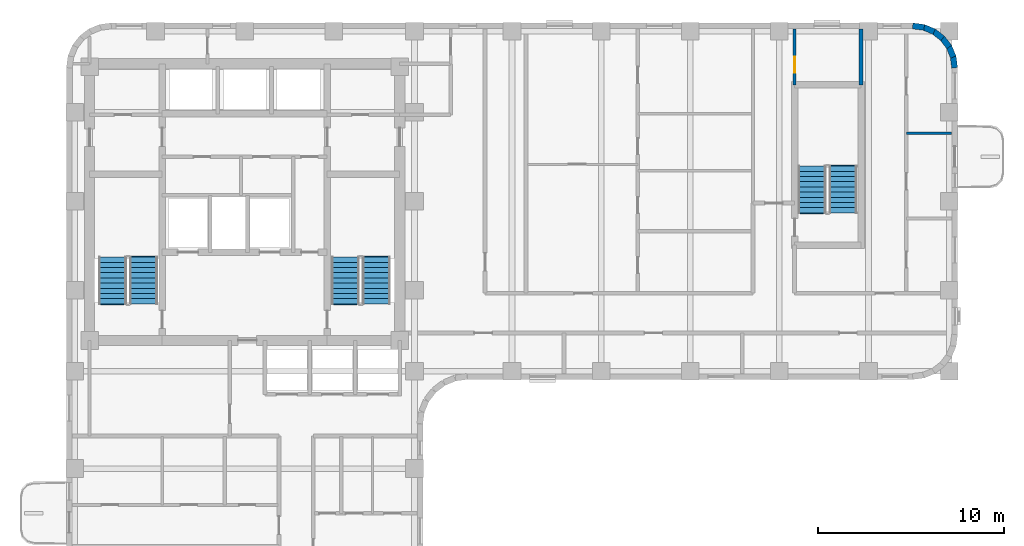
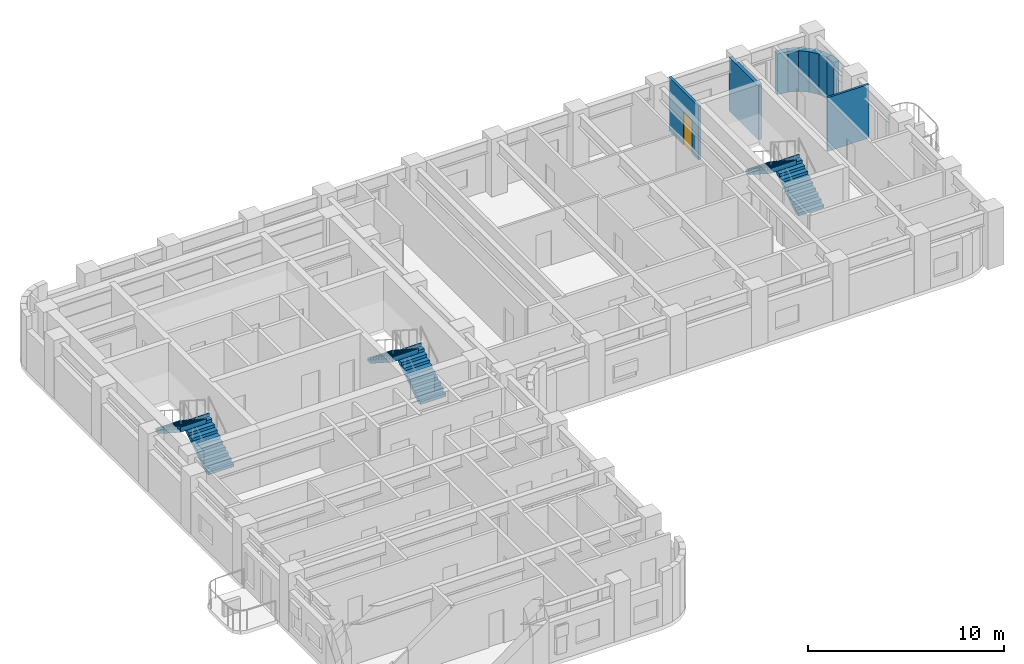
# One storey, part 7 of 10: 9 walls, 6 stair flights, 1 door, 1 opening, 3 elements without a shape of their own.
"""IFC4 building model written with IfcOpenShell, lengths in metres."""

from ifc_helpers import new_model, si_unit, direction, frame, frame_2d, origin, place, context, subcontext, project, spatial, polyline, rectangle, outline, extrude, material, layer, layer_set, type_object, element, fill, aggregate, save


model = new_model("IFC4")

# Units and contexts
model_context = context("Model", 3, precision=1e-05, world=origin(), true_north=direction((0.0, 1.0)))
body_context = subcontext(model_context, "Body", "Model", "MODEL_VIEW")
ifc_project = project(units=[si_unit("LENGTHUNIT", "METRE"), si_unit("AREAUNIT", "SQUARE_METRE"), si_unit("VOLUMEUNIT", "CUBIC_METRE"), si_unit("PLANEANGLEUNIT", "RADIAN"), si_unit("MASSUNIT", "GRAM", prefix="KILO")], contexts=[model_context])

# Site, building, storey
site_placement = place(None, origin())
site = spatial("IfcSite", under=ifc_project, at=site_placement, CompositionType="ELEMENT")
building_placement = place(site_placement, origin())
building = spatial("IfcBuilding", under=site, at=building_placement, Name="Orvandelia Arch Residences", CompositionType="ELEMENT")
storey_placement = place(building_placement, frame((0.0, 0.0, 132.39990234375)))
storey = spatial("IfcBuildingStorey", under=building, at=storey_placement, Name="L34", CompositionType="ELEMENT", Elevation=132.39990234375)

# Walls
ifc_material_1 = material(Name="Concrete C40/50", Category="concrete")
ifc_layer_1 = layer(ifc_material_1, 0.199951171875, Name="Concrete C40/50", Category="concrete")
ifc_layer_set_1 = layer_set([ifc_layer_1], Name="Concrete C40/50")
wall_type_1 = type_object("IfcWallType", Name="WL-DEM-200", PredefinedType="SOLIDWALL", material=ifc_layer_set_1)
wall_1_placement = place(storey_placement, frame((47.60009765625, 44.659912109375, 0.0), z_axis=(0.0, 0.0, 1.0), x_axis=(0.0, 1.0, 0.0)))
element("IfcWall", 1, at=wall_1_placement, inside=storey, type_object=wall_type_1, Name="Interior Partition Wall WL-L34-ES-NST3E", PredefinedType="SOLIDWALL", context=body_context, shape_type="SweptSolid", body=[
    extrude(rectangle(XDim=3.02001953125, YDim=0.199951171875, at=frame_2d((1.510009765625, 0.0))), origin(), (0.0, 0.0, 1.0), 3.360107421875),
])
ifc_material_2 = material(Name="Precast concrete C40/50", Category="concrete")
ifc_layer_2 = layer(ifc_material_2, 0.320068359375, Name="Precast concrete C40/50", Category="concrete")
ifc_layer_set_2 = layer_set([ifc_layer_2], Name="Precast concrete C40/50")
wall_type_2 = type_object("IfcWallType", Name="WL-EXT-STONE-320", PredefinedType="STANDARD", material=ifc_layer_set_2)
for number, where, z_axis, x_axis, name in (
    (2, (50.379150390625, 47.84130859375, 0.0), (0.0, 0.0, 1.0), (0.9914410257, -0.130555323746, 0.0), "Coral-Limestone Precast Facade Wall L34-008"),
    (3, (50.9599609375, 47.7705078125, 0.0), (0.0, 0.0, 1.0), (0.92389335771, -0.382650053678, 0.0), "Coral-Limestone Precast Facade Wall L34-009"),
    (4, (51.502685546875, 47.551513671875, 0.0), (0.0, 0.0, 1.0), (0.793405610854, -0.608693302629, 0.0), "Coral-Limestone Precast Facade Wall L34-010"),
    (5, (51.97021484375, 47.19970703125, 0.0), (0.0, 0.0, 1.0), (0.608693302629, -0.793405610854, 0.0), "Coral-Limestone Precast Facade Wall L34-011"),
    (6, (52.330810546875, 46.73876953125, 0.0), (0.0, 0.0, 1.0), (0.382317370307, -0.924031075431, 0.0), "Coral-Limestone Precast Facade Wall L34-012"),
    (7, (52.5595703125, 46.2001953125, 0.0), (0.0, 0.0, 1.0), (0.130555323746, -0.9914410257, 0.0), "Coral-Limestone Precast Facade Wall L34-013"),
):
    element("IfcWall", number, at=place(storey_placement, frame(where, z_axis=z_axis, x_axis=x_axis)), inside=storey, type_object=wall_type_2, Name=name, PredefinedType="STANDARD", context=body_context, shape_type="SweptSolid", body=[
        extrude(rectangle(XDim=0.62646484375, YDim=0.320068359375, at=frame_2d((0.313232421875, 0.0))), origin(), (0.0, 0.0, 1.0), 2.5400390625),
    ])
ifc_material_3 = material(Name="Lightweight Gypsum Stud Partition")
ifc_layer_3 = layer(ifc_material_3, 0.1201171875, Name="Lightweight Gypsum Stud Partition")
ifc_layer_set_3 = layer_set([ifc_layer_3], Name="Lightweight Gypsum Stud Partition")
wall_type_3 = type_object("IfcWallType", Name="WL-PART-120", PredefinedType="PARTITIONING", material=ifc_layer_set_3)
wall_2_placement = place(storey_placement, frame((50.04296875, 42.06396484375, 0.0), z_axis=(0.0, 0.0, 1.0), x_axis=(1.0, 0.0, 0.0)))
element("IfcWall", 8, at=wall_2_placement, inside=storey, type_object=wall_type_3, Name="Interior Partition Wall WL-L34-U07-H2", PredefinedType="PARTITIONING", context=body_context, shape_type="SweptSolid", body=[
    extrude(rectangle(XDim=2.43701171875, YDim=0.1201171875, at=frame_2d((1.218505859375, 0.0))), origin(), (0.0, 0.0, 1.0), 3.360107421875),
])

# Wall, opening, door
ifc_material_4 = material(Name="Acoustic Gypsum Stud Partition")
ifc_layer_4 = layer(ifc_material_4, 0.14990234375, Name="Acoustic Gypsum Stud Partition")
ifc_layer_set_4 = layer_set([ifc_layer_4], Name="Acoustic Gypsum Stud Partition")
wall_type_4 = type_object("IfcWallType", Name="WL-PART-150", PredefinedType="PARTITIONING", material=ifc_layer_set_4)
wall_3_placement = place(storey_placement, frame((44.02001953125, 44.659912109375, 0.0), z_axis=(0.0, 0.0, 1.0), x_axis=(0.0, 1.0, 0.0)))
wall_3 = element("IfcWall", 9, at=wall_3_placement, inside=storey, type_object=wall_type_4, Name="Interior Partition Wall WL-L34-ES-NST3W", PredefinedType="PARTITIONING", context=body_context, shape_type="SweptSolid", body=[
    extrude(rectangle(XDim=3.02001953125, YDim=0.14990234375, at=frame_2d((1.510009765625, 0.0))), origin(), (0.0, 0.0, 1.0), 3.360107421875),
])
opening_placement = place(wall_3_placement, frame((0.64990234375, 0.0, 0.0)))
opening = element("IfcOpeningElement", 10, at=opening_placement, cuts=wall_3, Name="Opening D5", PredefinedType="OPENING", context=body_context, shape_type="SweptSolid", body=[
    extrude(rectangle(XDim=0.8798828125, YDim=2.10009765625, at=frame_2d((0.43994140625, 1.050048828125))), frame((0.0, 0.0849609375, 0.0), z_axis=(0.0, -1.0, 0.0), x_axis=(1.0, 0.0, 0.0)), (0.0, 0.0, 1.0), 0.169921875),
])
ifc_material_5 = material(Name="Painted Galvanised Steel Service Door", Category="steel")
door_type = type_object("IfcDoorType", Name="DR-SRV-880", OperationType="NOTDEFINED", PredefinedType="DOOR", material=ifc_material_5)
door_placement = place(opening_placement, origin())
door = element("IfcDoor", 11, at=door_placement, inside=storey, type_object=door_type, Name="DR-L34-ESNST3", OperationType="SINGLE_SWING_RIGHT", OverallHeight=2.10009765625, OverallWidth=0.8798828125, PredefinedType="DOOR", context=body_context, shape_type="SweptSolid", body=[
    extrude(rectangle(XDim=0.8798828125, YDim=2.10009765625, at=frame_2d((0.43994140625, 1.050048828125))), frame((0.0, 0.02490234375, 0.0), z_axis=(0.0, -1.0, 0.0), x_axis=(1.0, 0.0, 0.0)), (0.0, 0.0, 1.0), 0.050048828125),
])
fill(opening, door)

# Stair, stair flights
stair_type = type_object("IfcStairType", Name="STAIR-RC-DOGLEG", PredefinedType="HALF_TURN_STAIR", material=ifc_material_1)
stair_1_placement = place(storey_placement, origin())
stair_1 = element("IfcStair", 12, at=stair_1_placement, inside=storey, type_object=stair_type, Name="L34 Protected Exit Stair ST-1", PredefinedType="HALF_TURN_STAIR")
stair_flight_type = type_object("IfcStairFlightType", Name="STFLT-RC-1520", PredefinedType="STRAIGHT", material=ifc_material_1)
stair_flight_1_placement = place(storey_placement, frame((8.9599609375, 32.8701171875, 0.0), z_axis=(0.0, 0.0, 1.0), x_axis=(0.0, 1.0, 0.0)))
stair_flight_1 = element("IfcStairFlight", 13, at=stair_flight_1_placement, type_object=stair_flight_type, Name="ST-1 flight 1", NumberOfRisers=10, NumberOfTreads=9, PredefinedType="STRAIGHT", RiserHeight=0.18, TreadLength=0.28, context=body_context, shape_type="SweptSolid", body=[
    extrude(outline(polyline([(0.0, 0.0), (0.0, 0.179931640625), (0.280029296875, 0.179931640625), (0.280029296875, 0.360107421875), (0.56005859375, 0.360107421875), (0.56005859375, 0.5400390625), (0.840087890625, 0.5400390625), (0.840087890625, 0.719970703125), (1.1201171875, 0.719970703125), (1.1201171875, 0.89990234375), (1.39990234375, 0.89990234375), (1.39990234375, 1.080078125), (1.679931640625, 1.080078125), (1.679931640625, 1.260009765625), (1.9599609375, 1.260009765625), (1.9599609375, 1.43994140625), (2.239990234375, 1.43994140625), (2.239990234375, 1.6201171875), (2.52001953125, 1.6201171875), (2.52001953125, 1.800048828125), (2.580078125, 1.800048828125), (2.580078125, 1.6201171875), (2.52001953125, 1.44189453125), (0.277099609375, 0.0), (0.0, 0.0)])), frame((0.0, 0.760009765625, 0.0), z_axis=(0.0, -1.0, 0.0), x_axis=(1.0, 0.0, 0.0)), (0.0, 0.0, 1.0), 1.52001953125),
])
stair_flight_2_placement = place(storey_placement, frame((7.2900390625, 35.389892578125, 1.800048828125), z_axis=(0.0, 0.0, 1.0), x_axis=(0.0, -1.0, 0.0)))
stair_flight_2 = element("IfcStairFlight", 14, at=stair_flight_2_placement, type_object=stair_flight_type, Name="ST-1 flight 2", NumberOfRisers=10, NumberOfTreads=9, PredefinedType="STRAIGHT", RiserHeight=0.18, TreadLength=0.28, context=body_context, shape_type="SweptSolid", body=[
    extrude(outline(polyline([(0.0, 0.0), (0.0, 0.179931640625), (0.280029296875, 0.179931640625), (0.280029296875, 0.360107421875), (0.56005859375, 0.360107421875), (0.56005859375, 0.5400390625), (0.840087890625, 0.5400390625), (0.840087890625, 0.719970703125), (1.1201171875, 0.719970703125), (1.1201171875, 0.89990234375), (1.39990234375, 0.89990234375), (1.39990234375, 1.080078125), (1.679931640625, 1.080078125), (1.679931640625, 1.260009765625), (1.9599609375, 1.260009765625), (1.9599609375, 1.43994140625), (2.239990234375, 1.43994140625), (2.239990234375, 1.6201171875), (2.52001953125, 1.6201171875), (2.52001953125, 1.800048828125), (2.580078125, 1.800048828125), (2.580078125, 1.6201171875), (2.52001953125, 1.44189453125), (0.277099609375, 0.0), (0.0, 0.0)])), frame((0.0, 0.760009765625, 0.0), z_axis=(0.0, -1.0, 0.0), x_axis=(1.0, 0.0, 0.0)), (0.0, 0.0, 1.0), 1.52001953125),
])
aggregate(stair_1, [stair_flight_1, stair_flight_2])

stair_2_placement = place(storey_placement, origin())
stair_2 = element("IfcStair", 15, at=stair_2_placement, inside=storey, type_object=stair_type, Name="L34 Protected Exit Stair ST-2", PredefinedType="HALF_TURN_STAIR")
stair_flight_3_placement = place(storey_placement, frame((21.489990234375, 32.8701171875, 0.0), z_axis=(0.0, 0.0, 1.0), x_axis=(0.0, 1.0, 0.0)))
stair_flight_3 = element("IfcStairFlight", 16, at=stair_flight_3_placement, type_object=stair_flight_type, Name="ST-2 flight 1", NumberOfRisers=10, NumberOfTreads=9, PredefinedType="STRAIGHT", RiserHeight=0.18, TreadLength=0.28, context=body_context, shape_type="SweptSolid", body=[
    extrude(outline(polyline([(0.0, 0.0), (0.0, 0.179931640625), (0.280029296875, 0.179931640625), (0.280029296875, 0.360107421875), (0.56005859375, 0.360107421875), (0.56005859375, 0.5400390625), (0.840087890625, 0.5400390625), (0.840087890625, 0.719970703125), (1.1201171875, 0.719970703125), (1.1201171875, 0.89990234375), (1.39990234375, 0.89990234375), (1.39990234375, 1.080078125), (1.679931640625, 1.080078125), (1.679931640625, 1.260009765625), (1.9599609375, 1.260009765625), (1.9599609375, 1.43994140625), (2.239990234375, 1.43994140625), (2.239990234375, 1.6201171875), (2.52001953125, 1.6201171875), (2.52001953125, 1.800048828125), (2.580078125, 1.800048828125), (2.580078125, 1.6201171875), (2.52001953125, 1.44189453125), (0.277099609375, 0.0), (0.0, 0.0)])), frame((0.0, 0.760009765625, 0.0), z_axis=(0.0, -1.0, 0.0), x_axis=(1.0, 0.0, 0.0)), (0.0, 0.0, 1.0), 1.52001953125),
])
stair_flight_4_placement = place(storey_placement, frame((19.820068359375, 35.389892578125, 1.800048828125), z_axis=(0.0, 0.0, 1.0), x_axis=(0.0, -1.0, 0.0)))
stair_flight_4 = element("IfcStairFlight", 17, at=stair_flight_4_placement, type_object=stair_flight_type, Name="ST-2 flight 2", NumberOfRisers=10, NumberOfTreads=9, PredefinedType="STRAIGHT", RiserHeight=0.18, TreadLength=0.28, context=body_context, shape_type="SweptSolid", body=[
    extrude(outline(polyline([(0.0, 0.0), (0.0, 0.179931640625), (0.280029296875, 0.179931640625), (0.280029296875, 0.360107421875), (0.56005859375, 0.360107421875), (0.56005859375, 0.5400390625), (0.840087890625, 0.5400390625), (0.840087890625, 0.719970703125), (1.1201171875, 0.719970703125), (1.1201171875, 0.89990234375), (1.39990234375, 0.89990234375), (1.39990234375, 1.080078125), (1.679931640625, 1.080078125), (1.679931640625, 1.260009765625), (1.9599609375, 1.260009765625), (1.9599609375, 1.43994140625), (2.239990234375, 1.43994140625), (2.239990234375, 1.6201171875), (2.52001953125, 1.6201171875), (2.52001953125, 1.800048828125), (2.580078125, 1.800048828125), (2.580078125, 1.6201171875), (2.52001953125, 1.44189453125), (0.277099609375, 0.0), (0.0, 0.0)])), frame((0.0, 0.760009765625, 0.0), z_axis=(0.0, -1.0, 0.0), x_axis=(1.0, 0.0, 0.0)), (0.0, 0.0, 1.0), 1.52001953125),
])
aggregate(stair_2, [stair_flight_3, stair_flight_4])

stair_3_placement = place(storey_placement, origin())
stair_3 = element("IfcStair", 18, at=stair_3_placement, inside=storey, type_object=stair_type, Name="L34 East Wing Exit Stair ST-3", PredefinedType="HALF_TURN_STAIR")
stair_flight_5_placement = place(storey_placement, frame((46.639892578125, 37.77001953125, 0.0), z_axis=(0.0, 0.0, 1.0), x_axis=(0.0, 1.0, 0.0)))
stair_flight_5 = element("IfcStairFlight", 19, at=stair_flight_5_placement, type_object=stair_flight_type, Name="ST-3 flight 1", NumberOfRisers=10, NumberOfTreads=9, PredefinedType="STRAIGHT", RiserHeight=0.18, TreadLength=0.28, context=body_context, shape_type="SweptSolid", body=[
    extrude(outline(polyline([(0.0, 0.0), (0.0, 0.179931640625), (0.280029296875, 0.179931640625), (0.280029296875, 0.360107421875), (0.56005859375, 0.360107421875), (0.56005859375, 0.5400390625), (0.840087890625, 0.5400390625), (0.840087890625, 0.719970703125), (1.1201171875, 0.719970703125), (1.1201171875, 0.89990234375), (1.39990234375, 0.89990234375), (1.39990234375, 1.080078125), (1.679931640625, 1.080078125), (1.679931640625, 1.260009765625), (1.9599609375, 1.260009765625), (1.9599609375, 1.43994140625), (2.239990234375, 1.43994140625), (2.239990234375, 1.6201171875), (2.52001953125, 1.6201171875), (2.52001953125, 1.800048828125), (2.580078125, 1.800048828125), (2.580078125, 1.6201171875), (2.52001953125, 1.44189453125), (0.277099609375, 0.0), (0.0, 0.0)])), frame((0.0, 0.760009765625, 0.0), z_axis=(0.0, -1.0, 0.0), x_axis=(1.0, 0.0, 0.0)), (0.0, 0.0, 1.0), 1.52001953125),
])
stair_flight_6_placement = place(storey_placement, frame((44.969970703125, 40.2900390625, 1.800048828125), z_axis=(0.0, 0.0, 1.0), x_axis=(0.0, -1.0, 0.0)))
stair_flight_6 = element("IfcStairFlight", 20, at=stair_flight_6_placement, type_object=stair_flight_type, Name="ST-3 flight 2", NumberOfRisers=10, NumberOfTreads=9, PredefinedType="STRAIGHT", RiserHeight=0.18, TreadLength=0.28, context=body_context, shape_type="SweptSolid", body=[
    extrude(outline(polyline([(0.0, 0.0), (0.0, 0.179931640625), (0.280029296875, 0.179931640625), (0.280029296875, 0.360107421875), (0.56005859375, 0.360107421875), (0.56005859375, 0.5400390625), (0.840087890625, 0.5400390625), (0.840087890625, 0.719970703125), (1.1201171875, 0.719970703125), (1.1201171875, 0.89990234375), (1.39990234375, 0.89990234375), (1.39990234375, 1.080078125), (1.679931640625, 1.080078125), (1.679931640625, 1.260009765625), (1.9599609375, 1.260009765625), (1.9599609375, 1.43994140625), (2.239990234375, 1.43994140625), (2.239990234375, 1.6201171875), (2.52001953125, 1.6201171875), (2.52001953125, 1.800048828125), (2.580078125, 1.800048828125), (2.580078125, 1.6201171875), (2.52001953125, 1.44189453125), (0.277099609375, 0.0), (0.0, 0.0)])), frame((0.0, 0.760009765625, 0.0), z_axis=(0.0, -1.0, 0.0), x_axis=(1.0, 0.0, 0.0)), (0.0, 0.0, 1.0), 1.52001953125),
])
aggregate(stair_3, [stair_flight_5, stair_flight_6])

save(model, "model.ifc")
